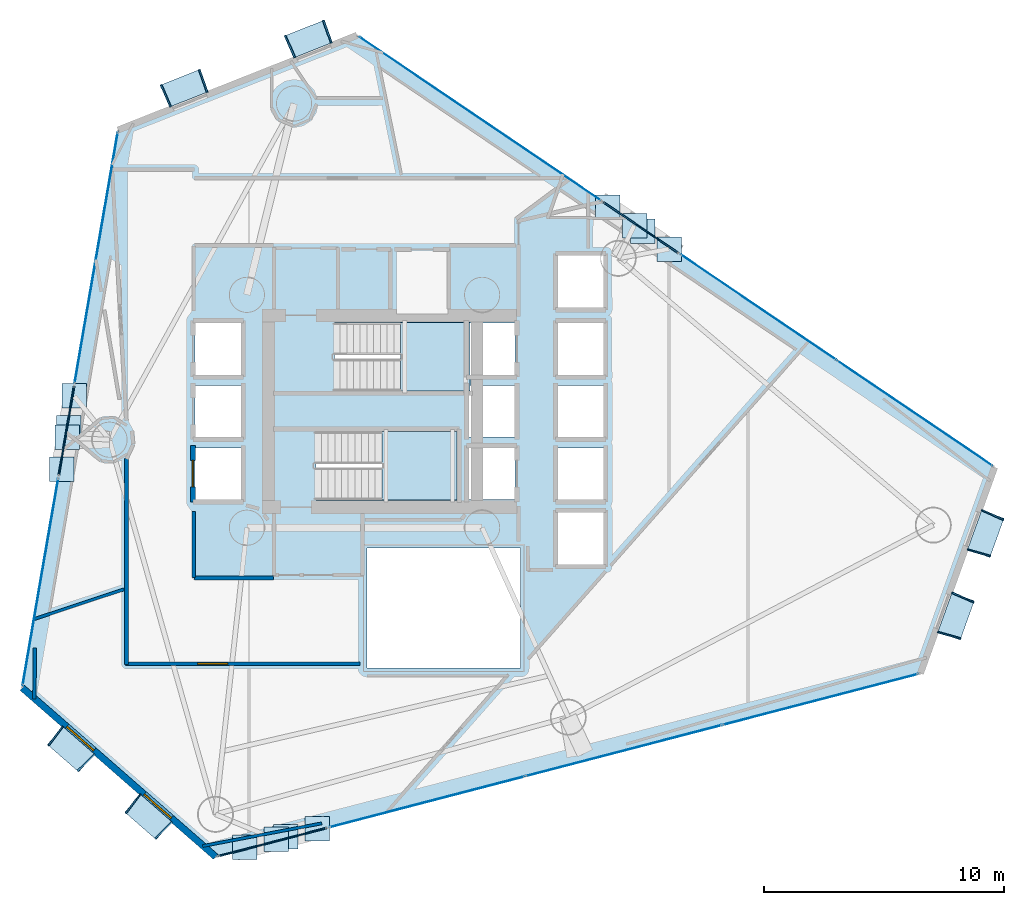
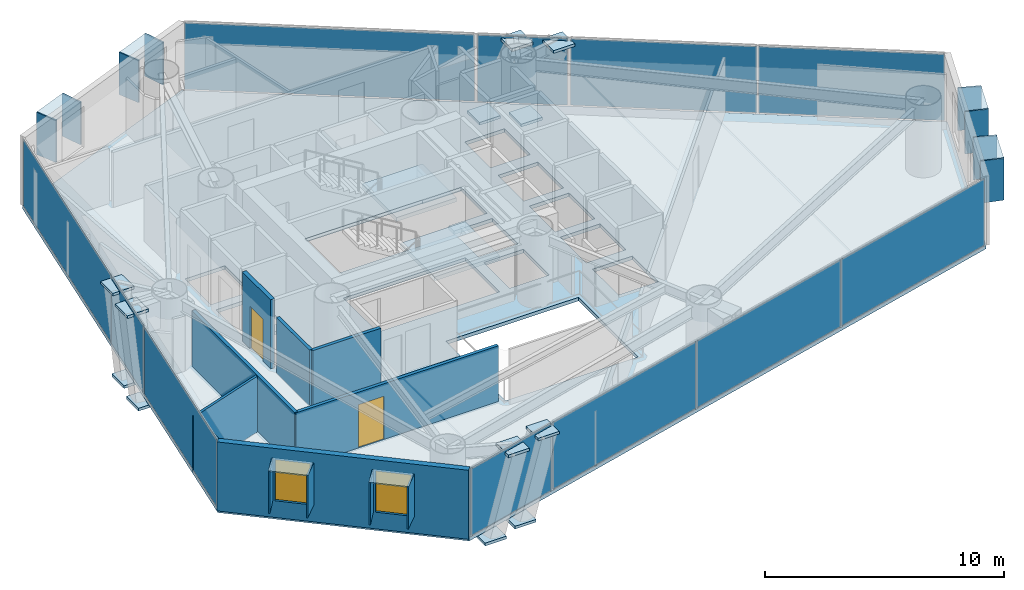
# One storey, part 15 of 21: 41 plates, 9 walls, 3 slabs, 2 doors, 2 windows, 4 openings, 10 elements without a shape of their own.
"""IFC4 building model written with IfcOpenShell, lengths in metres."""

from ifc_helpers import new_model, si_unit, direction, frame, frame_2d, origin, origin_2d, place, context, subcontext, project, spatial, polyline, rectangle, outline, extrude, material, layer, layer_set, type_object, element, fill, aggregate, save


model = new_model("IFC4")

# Units and contexts
model_context = context("Model", 3, precision=1e-05, world=origin(), true_north=direction((0.0, 1.0)))
body_context = subcontext(model_context, "Body", "Model", "MODEL_VIEW")
ifc_project = project(units=[si_unit("LENGTHUNIT", "METRE"), si_unit("AREAUNIT", "SQUARE_METRE"), si_unit("VOLUMEUNIT", "CUBIC_METRE"), si_unit("PLANEANGLEUNIT", "RADIAN"), si_unit("MASSUNIT", "GRAM", prefix="KILO")], contexts=[model_context])

# Site, building, storey
site_placement = place(None, origin())
site = spatial("IfcSite", under=ifc_project, at=site_placement, CompositionType="ELEMENT")
building_placement = place(site_placement, origin())
building = spatial("IfcBuilding", under=site, at=building_placement, Name="Qianvela Tower", CompositionType="ELEMENT")
storey_placement = place(building_placement, frame((0.0, 0.0, 112.60009765625)))
storey = spatial("IfcBuildingStorey", under=building, at=storey_placement, Name="L28", CompositionType="ELEMENT", Elevation=112.60009765625)

# Curtain wall, plate
ifc_material_1 = material(Name="Anodised Architectural Aluminium and Insulated Spandrel Panel", Category="aluminium")
ifc_layer_1 = layer(ifc_material_1, 0.179931640625)
ifc_layer_set_1 = layer_set([ifc_layer_1], Name="Anodised Architectural Aluminium and Insulated Spandrel Panel")
curtain_wall_type_1 = type_object("IfcCurtainWallType", Name="CW-BRACEBAY", PredefinedType="USERDEFINED", material=ifc_layer_set_1)
curtain_wall_1_placement = place(storey_placement, origin())
curtain_wall_1 = element("IfcCurtainWall", 1, at=curtain_wall_1_placement, inside=storey, type_object=curtain_wall_type_1, Name="L28 CW-BRACEBAY Curtain Wall 02B", ObjectType="CURTAIN_WALL_SYSTEM", PredefinedType="USERDEFINED")
ifc_material_2 = material(Name="Insulated Aluminium Spandrel Panel with Mineral-Wool Backpan", Category="aluminium")
ifc_layer_2 = layer(ifc_material_2, 0.06005859375)
ifc_layer_set_2 = layer_set([ifc_layer_2], Name="Insulated Aluminium Spandrel Panel with Mineral-Wool Backpan")
plate_type_1 = type_object("IfcPlateType", Name="CW-BRACEBAY-PNL", PredefinedType="CURTAIN_PANEL", material=ifc_layer_set_2)
plate_1_placement = place(storey_placement, frame((45.009765625, 36.35302734375, 0.06494140625), z_axis=(0.0, 0.0, 1.0), x_axis=(-0.827932900864, 0.560827167375, 0.0)))
plate_1 = element("IfcPlate", 2, at=plate_1_placement, type_object=plate_type_1, Name="CW-9 panel 1.1", PredefinedType="CURTAIN_PANEL", context=body_context, shape_type="SweptSolid", body=[
    extrude(rectangle(XDim=3.77001953125, YDim=0.06005859375, at=origin_2d()), origin(), (0.0, 0.0, 1.0), 3.389892578125),
])
aggregate(curtain_wall_1, [plate_1])

curtain_wall_2_placement = place(storey_placement, origin())
curtain_wall_2 = element("IfcCurtainWall", 3, at=curtain_wall_2_placement, inside=storey, type_object=curtain_wall_type_1, Name="L28 CW-BRACEBAY Curtain Wall 04B", ObjectType="CURTAIN_WALL_SYSTEM", PredefinedType="USERDEFINED")
plate_2_placement = place(storey_placement, frame((21.081298828125, 27.884521484375, 0.06494140625), z_axis=(0.0, 0.0, 1.0), x_axis=(-0.169514646408, -0.985527668132, 0.0)))
plate_2 = element("IfcPlate", 4, at=plate_2_placement, type_object=plate_type_1, Name="CW-9 panel 1.1", PredefinedType="CURTAIN_PANEL", context=body_context, shape_type="SweptSolid", body=[
    extrude(rectangle(XDim=3.780029296875, YDim=0.06005859375, at=origin_2d()), origin(), (0.0, 0.0, 1.0), 3.389892578125),
])
aggregate(curtain_wall_2, [plate_2])

curtain_wall_3_placement = place(storey_placement, origin())
curtain_wall_3 = element("IfcCurtainWall", 5, at=curtain_wall_3_placement, inside=storey, type_object=curtain_wall_type_1, Name="L28 CW-BRACEBAY Curtain Wall 06A", ObjectType="CURTAIN_WALL_SYSTEM", PredefinedType="USERDEFINED")
plate_3_placement = place(storey_placement, frame((29.667236328125, 10.751220703125, 0.06494140625), z_axis=(0.0, 0.0, 1.0), x_axis=(0.967742635152, 0.251940850417, 0.0)))
plate_3 = element("IfcPlate", 6, at=plate_3_placement, type_object=plate_type_1, Name="CW-9 panel 1.1", PredefinedType="CURTAIN_PANEL", context=body_context, shape_type="SweptSolid", body=[
    extrude(rectangle(XDim=4.659912109375, YDim=0.06005859375, at=origin_2d()), origin(), (0.0, 0.0, 1.0), 3.389892578125),
])
aggregate(curtain_wall_3, [plate_3])

# Curtain wall, plates
ifc_material_3 = material(Name="Anodised Architectural Aluminium and Low-E Glass", Category="aluminium")
ifc_layer_3 = layer(ifc_material_3, 0.169921875)
ifc_layer_set_3 = layer_set([ifc_layer_3], Name="Anodised Architectural Aluminium and Low-E Glass")
curtain_wall_type_2 = type_object("IfcCurtainWallType", Name="CW-COLIV-Z34", PredefinedType="USERDEFINED", material=ifc_layer_set_3)
curtain_wall_4_placement = place(storey_placement, origin())
curtain_wall_4 = element("IfcCurtainWall", 7, at=curtain_wall_4_placement, inside=storey, type_object=curtain_wall_type_2, Name="L28 CW-COLIV-Z34 Curtain Wall 02A", ObjectType="CURTAIN_WALL_SYSTEM", PredefinedType="USERDEFINED")
ifc_material_4 = material(Name="Double-Silver Low-E Insulated Glass", Category="glass")
ifc_layer_4 = layer(ifc_material_4, 0.028076171875)
ifc_layer_set_4 = layer_set([ifc_layer_4], Name="Double-Silver Low-E Insulated Glass")
plate_type_2 = type_object("IfcPlateType", Name="CW-COLIV-Z34-PNL", PredefinedType="CURTAIN_PANEL", material=ifc_layer_set_4)
plate_4_placement = place(storey_placement, frame((56.421875, 28.622802734375, 0.06494140625), z_axis=(0.0, 0.0, 1.0), x_axis=(-0.827933194748, 0.560826733524, 0.0)))
plate_4 = element("IfcPlate", 8, at=plate_4_placement, type_object=plate_type_2, Name="CW-4 panel 1.1", PredefinedType="CURTAIN_PANEL", context=body_context, shape_type="SweptSolid", body=[
    extrude(rectangle(XDim=7.802490234375, YDim=0.028076171875, at=origin_2d()), origin(), (0.0, 0.0, 1.0), 3.389892578125),
])
plate_5_placement = place(storey_placement, frame((49.908203125, 33.03515625, 0.06494140625), z_axis=(0.0, 0.0, 1.0), x_axis=(-0.827933194748, 0.560826733524, 0.0)))
plate_5 = element("IfcPlate", 9, at=plate_5_placement, type_object=plate_type_2, Name="CW-4 panel 2.1", PredefinedType="CURTAIN_PANEL", context=body_context, shape_type="SweptSolid", body=[
    extrude(rectangle(XDim=7.802490234375, YDim=0.028076171875, at=origin_2d()), origin(), (0.0, 0.0, 1.0), 3.389892578125),
])
aggregate(curtain_wall_4, [plate_4, plate_5])

# Curtain wall, plate
curtain_wall_5_placement = place(storey_placement, origin())
curtain_wall_5 = element("IfcCurtainWall", 10, at=curtain_wall_5_placement, inside=storey, type_object=curtain_wall_type_2, Name="L28 CW-COLIV-Z34 Curtain Wall 02C", ObjectType="CURTAIN_WALL_SYSTEM", PredefinedType="USERDEFINED")
plate_6_placement = place(storey_placement, frame((38.3125, 40.8896484375, 0.06494140625), z_axis=(0.0, 0.0, 1.0), x_axis=(-0.827934182951, 0.560825274664, 0.0)))
plate_6 = element("IfcPlate", 11, at=plate_6_placement, type_object=plate_type_2, Name="CW-4 panel 1.1", PredefinedType="CURTAIN_PANEL", context=body_context, shape_type="SweptSolid", body=[
    extrude(rectangle(XDim=12.1484375, YDim=0.028076171875, at=origin_2d()), origin(), (0.0, 0.0, 1.0), 3.389892578125),
])
aggregate(curtain_wall_5, [plate_6])

curtain_wall_6_placement = place(storey_placement, origin())
curtain_wall_6 = element("IfcCurtainWall", 12, at=curtain_wall_6_placement, inside=storey, type_object=curtain_wall_type_2, Name="L28 CW-COLIV-Z34 Curtain Wall 04A", ObjectType="CURTAIN_WALL_SYSTEM", PredefinedType="USERDEFINED")
plate_7_placement = place(storey_placement, frame((22.320556640625, 35.0888671875, 0.06494140625), z_axis=(0.0, 0.0, 1.0), x_axis=(-0.169523566874, -0.985526133735, 0.0)))
plate_7 = element("IfcPlate", 13, at=plate_7_placement, type_object=plate_type_2, Name="CW-4 panel 1.1", PredefinedType="CURTAIN_PANEL", context=body_context, shape_type="SweptSolid", body=[
    extrude(rectangle(XDim=10.580078125, YDim=0.028076171875, at=origin_2d()), origin(), (0.0, 0.0, 1.0), 3.389892578125),
])
aggregate(curtain_wall_6, [plate_7])

curtain_wall_7_placement = place(storey_placement, origin())
curtain_wall_7 = element("IfcCurtainWall", 14, at=curtain_wall_7_placement, inside=storey, type_object=curtain_wall_type_2, Name="L28 CW-COLIV-Z34 Curtain Wall 04C", ObjectType="CURTAIN_WALL_SYSTEM", PredefinedType="USERDEFINED")
plate_8_placement = place(storey_placement, frame((19.999267578125, 21.593017578125, 0.06494140625), z_axis=(0.0, 0.0, 1.0), x_axis=(-0.169519028457, -0.985526914392, 0.0)))
plate_8 = element("IfcPlate", 15, at=plate_8_placement, type_object=plate_type_2, Name="CW-4 panel 1.1", PredefinedType="CURTAIN_PANEL", context=body_context, shape_type="SweptSolid", body=[
    extrude(rectangle(XDim=8.72802734375, YDim=0.028076171875, at=origin_2d()), origin(), (0.0, 0.0, 1.0), 3.389892578125),
])
aggregate(curtain_wall_7, [plate_8])

# Curtain wall, plates
curtain_wall_8_placement = place(storey_placement, origin())
curtain_wall_8 = element("IfcCurtainWall", 16, at=curtain_wall_8_placement, inside=storey, type_object=curtain_wall_type_2, Name="L28 CW-COLIV-Z34 Curtain Wall 06B", ObjectType="CURTAIN_WALL_SYSTEM", PredefinedType="USERDEFINED")
plate_9_placement = place(storey_placement, frame((36.1044921875, 12.42724609375, 0.06494140625), z_axis=(0.0, 0.0, 1.0), x_axis=(0.96774019745, 0.25195021381, 0.0)))
plate_9 = element("IfcPlate", 17, at=plate_9_placement, type_object=plate_type_2, Name="CW-4 panel 1.1", PredefinedType="CURTAIN_PANEL", context=body_context, shape_type="SweptSolid", body=[
    extrude(rectangle(XDim=8.3837890625, YDim=0.028076171875, at=origin_2d()), origin(), (0.0, 0.0, 1.0), 3.389892578125),
])
plate_10_placement = place(storey_placement, frame((44.29638671875, 14.559814453125, 0.06494140625), z_axis=(0.0, 0.0, 1.0), x_axis=(0.96774019745, 0.25195021381, 0.0)))
plate_10 = element("IfcPlate", 18, at=plate_10_placement, type_object=plate_type_2, Name="CW-4 panel 2.1", PredefinedType="CURTAIN_PANEL", context=body_context, shape_type="SweptSolid", body=[
    extrude(rectangle(XDim=8.416259765625, YDim=0.028076171875, at=origin_2d()), origin(), (0.0, 0.0, 1.0), 3.389892578125),
])
plate_11_placement = place(storey_placement, frame((52.488525390625, 16.692626953125, 0.06494140625), z_axis=(0.0, 0.0, 1.0), x_axis=(0.96774019745, 0.25195021381, 0.0)))
plate_11 = element("IfcPlate", 19, at=plate_11_placement, type_object=plate_type_2, Name="CW-4 panel 3.1", PredefinedType="CURTAIN_PANEL", context=body_context, shape_type="SweptSolid", body=[
    extrude(rectangle(XDim=8.3837890625, YDim=0.028076171875, at=origin_2d()), origin(), (0.0, 0.0, 1.0), 3.389892578125),
])
aggregate(curtain_wall_8, [plate_9, plate_10, plate_11])

# Plates
ifc_material_5 = material(Name="Steel Q420GJC", Category="steel")
ifc_layer_5 = layer(ifc_material_5, 0.139892578125)
ifc_layer_set_5 = layer_set([ifc_layer_5], Name="Steel Q420GJC")
plate_type_3 = type_object("IfcPlateType", Name="PT-GUSSET-NODE-140", PredefinedType="USERDEFINED", material=ifc_layer_set_5)
for number, where, z_axis, x_axis, name in (
    (20, (45.081298828125, 36.2080078125, -0.61328125), (0.0, 0.0, 1.0), (1.0, 0.0, 0.0), "L28 Node Gusset Plate A"),
    (21, (46.2041015625, 35.447509765625, 3.20947265625), (0.0, 0.0, 1.0), (1.0, 0.0, 0.0), "L28 Node Gusset Plate B"),
    (22, (43.63037109375, 37.19091796875, -0.61328125), (0.0, 0.0, 1.0), (1.0, 0.0, 0.0), "L28 Node Gusset Plate A"),
    (23, (44.7529296875, 36.430419921875, 3.20947265625), (0.0, 0.0, 1.0), (1.0, 0.0, 0.0), "L28 Node Gusset Plate B"),
    (24, (21.183837890625, 28.008544921875, -0.61328125), (0.0, 0.0, 1.0), (1.0, 0.0, 0.0), "L28 Node Gusset Plate A"),
    (25, (21.413818359375, 29.344970703125, 3.20947265625), (0.0, 0.0, 1.0), (1.0, 0.0, 0.0), "L28 Node Gusset Plate B"),
    (26, (20.88671875, 26.281494140625, -0.61328125), (0.0, 0.0, 1.0), (1.0, 0.0, 0.0), "L28 Node Gusset Plate A"),
    (27, (21.11669921875, 27.617919921875, 3.20947265625), (0.0, 0.0, 1.0), (1.0, 0.0, 0.0), "L28 Node Gusset Plate B"),
    (28, (28.517822265625, 10.53466796875, -0.61328125), (0.0, 0.0, 1.0), (1.0, 0.0, 0.0), "L28 Node Gusset Plate A"),
    (29, (29.830078125, 10.87646484375, 3.20947265625), (0.0, 0.0, 1.0), (1.0, 0.0, 0.0), "L28 Node Gusset Plate B"),
    (30, (30.214111328125, 10.976318359375, -0.61328125), (0.0, 0.0, 1.0), (1.0, 0.0, 0.0), "L28 Node Gusset Plate A"),
    (31, (31.526123046875, 11.31787109375, 3.20947265625), (0.0, 0.0, 1.0), (1.0, 0.0, 0.0), "L28 Node Gusset Plate B"),
):
    element("IfcPlate", number, at=place(storey_placement, frame(where, z_axis=z_axis, x_axis=x_axis)), inside=storey, type_object=plate_type_3, Name=name, ObjectType="GUSSET_PLATE", PredefinedType="USERDEFINED", context=body_context, shape_type="SweptSolid", body=[
        extrude(rectangle(XDim=1.02001953125, YDim=1.02001953125, at=origin_2d()), origin(), (0.0, 0.0, 1.0), 0.139892578125),
    ])

# Slab
ifc_material_6 = material(Name="Concrete C40", Category="concrete")
ifc_layer_6 = layer(ifc_material_6, 0.179931640625)
ifc_layer_set_6 = layer_set([ifc_layer_6], Name="Concrete C40")
slab_type_1 = type_object("IfcSlabType", Name="SL-FLOOR-180", PredefinedType="FLOOR", material=ifc_layer_set_6)
slab_1_placement = place(storey_placement, frame((0.0, 0.0, -0.18017578125)))
element("IfcSlab", 32, at=slab_1_placement, inside=storey, type_object=slab_type_1, Name="L28 Composite Structural Floor Slab", PredefinedType="FLOOR", context=body_context, shape_type="SweptSolid", body=[
    extrude(outline(polyline([(56.656494140625, 17.77783203125), (59.7470703125, 26.370361328125), (33.188232421875, 44.36083984375), (23.23681640625, 40.41552734375), (19.239990234375, 17.1787109375), (27.301025390625, 10.13525390625), (56.656494140625, 17.77783203125)]), holes=[polyline([(40.0, 23.0), (33.60009765625, 23.0), (33.60009765625, 18.0), (40.0, 18.0), (40.0, 23.0)]), polyline([(28.360107421875, 25.02001953125), (28.360107421875, 27.179931640625), (26.43994140625, 27.179931640625), (26.43994140625, 25.02001953125), (28.360107421875, 25.02001953125)]), polyline([(37.35009765625, 25.0), (37.35009765625, 27.860107421875), (31.469970703125, 27.860107421875), (31.469970703125, 25.0), (37.35009765625, 25.0)]), polyline([(28.360107421875, 27.6201171875), (28.360107421875, 29.780029296875), (26.43994140625, 29.780029296875), (26.43994140625, 27.6201171875), (28.360107421875, 27.6201171875)]), polyline([(37.89990234375, 32.3798828125), (37.89990234375, 32.39990234375), (32.25, 32.39990234375), (32.25, 29.5400390625), (37.840087890625, 29.5400390625), (37.840087890625, 27.6201171875), (39.760009765625, 27.6201171875), (39.760009765625, 29.780029296875), (37.89990234375, 29.780029296875), (37.89990234375, 30.219970703125), (39.760009765625, 30.219970703125), (39.760009765625, 32.3798828125), (37.89990234375, 32.3798828125)]), polyline([(28.360107421875, 30.219970703125), (28.360107421875, 32.3798828125), (26.43994140625, 32.3798828125), (26.43994140625, 30.219970703125), (28.360107421875, 30.219970703125)]), polyline([(43.4599609375, 24.47998046875), (41.5400390625, 24.47998046875), (41.5400390625, 22.320068359375), (43.4599609375, 22.320068359375), (43.4599609375, 24.47998046875)]), polyline([(39.760009765625, 25.02001953125), (39.760009765625, 27.179931640625), (37.840087890625, 27.179931640625), (37.840087890625, 25.02001953125), (39.760009765625, 25.02001953125)]), polyline([(43.4599609375, 25.02001953125), (43.4599609375, 27.179931640625), (41.5400390625, 27.179931640625), (41.5400390625, 25.02001953125), (43.4599609375, 25.02001953125)]), polyline([(43.4599609375, 27.6201171875), (43.4599609375, 29.780029296875), (41.5400390625, 29.780029296875), (41.5400390625, 27.6201171875), (43.4599609375, 27.6201171875)]), polyline([(43.4599609375, 30.219970703125), (43.4599609375, 32.3798828125), (41.5400390625, 32.3798828125), (41.5400390625, 30.219970703125), (43.4599609375, 30.219970703125)]), polyline([(43.4599609375, 33.02001953125), (43.4599609375, 35.179931640625), (41.5400390625, 35.179931640625), (41.5400390625, 33.02001953125), (43.4599609375, 33.02001953125)])]), origin(), (0.0, 0.0, 1.0), 0.18017578125),
])

# Stair, slab
ifc_material_7 = material(Name="Concrete C40", Category="concrete")
stair_type = type_object("IfcStairType", Name="ST-DOGLEG-1350-R168-N22", PredefinedType="HALF_TURN_STAIR", material=ifc_material_7)
stair_1_placement = place(storey_placement, origin())
stair_1 = element("IfcStair", 33, at=stair_1_placement, inside=storey, type_object=stair_type, Name="L28 Smoke-Proof Core Stair ST-1", PredefinedType="HALF_TURN_STAIR")
ifc_material_8 = material(Name="Concrete C40", Category="concrete")
ifc_layer_7 = layer(ifc_material_8, 0.199951171875)
ifc_layer_set_7 = layer_set([ifc_layer_7], Name="Concrete C40")
slab_type_2 = type_object("IfcSlabType", Name="SL-STAIR-LANDING-200", PredefinedType="LANDING", material=ifc_layer_set_7)
slab_2_placement = place(storey_placement, frame((0.0, 0.0, 1.64990234375)))
slab_2 = element("IfcSlab", 34, at=slab_2_placement, type_object=slab_type_2, Name="ST-1 landing 1", PredefinedType="LANDING", context=body_context, shape_type="SweptSolid", body=[
    extrude(outline(polyline([(35.0, 29.5400390625), (37.89990234375, 29.5400390625), (37.89990234375, 32.39990234375), (35.0, 32.39990234375), (35.0, 29.5400390625)])), origin(), (0.0, 0.0, 1.0), 0.199951171875),
])
aggregate(stair_1, [slab_2])

stair_2_placement = place(storey_placement, origin())
stair_2 = element("IfcStair", 35, at=stair_2_placement, inside=storey, type_object=stair_type, Name="L28 Smoke-Proof Core Stair ST-2", PredefinedType="HALF_TURN_STAIR")
slab_3_placement = place(storey_placement, frame((0.0, 0.0, 1.64990234375)))
slab_3 = element("IfcSlab", 36, at=slab_3_placement, type_object=slab_type_2, Name="ST-2 landing 1", PredefinedType="LANDING", context=body_context, shape_type="SweptSolid", body=[
    extrude(outline(polyline([(34.219970703125, 25.0), (37.35009765625, 25.0), (37.35009765625, 27.860107421875), (34.219970703125, 27.860107421875), (34.219970703125, 25.0)])), origin(), (0.0, 0.0, 1.0), 0.199951171875),
])
aggregate(stair_2, [slab_3])

# Plates
ifc_material_9 = material(Name="Vitrified Architectural Terracotta Panel", Category="masonry")
ifc_layer_8 = layer(ifc_material_9, 0.06005859375)
ifc_layer_set_8 = layer_set([ifc_layer_8], Name="Vitrified Architectural Terracotta Panel")
plate_type_4 = type_object("IfcPlateType", Name="TERRACOTTA-SUNSHADE-HOOD-FOLD-A", PredefinedType="USERDEFINED", material=ifc_layer_set_8)
for number, where, z_axis, x_axis, name in (
    (37, (58.1435546875, 20.154296875, 2.9599609375), (0.0, 0.0, 1.0), (0.338463667357, 0.940979460923, 0.0), "L28 Terracotta Sunshade Hood FOLD-A"),
    (38, (59.3798828125, 23.59130859375, 2.9599609375), (0.0, 0.0, 1.0), (0.338463667357, 0.940979460923, 0.0), "L28 Terracotta Sunshade Hood FOLD-A"),
    (39, (21.2666015625, 14.61767578125, 2.9599609375), (0.0, 0.0, 1.0), (0.753033078035, -0.657982661919, 0.0), "L28 Terracotta Sunshade Hood FOLD-A"),
    (40, (24.4912109375, 11.80029296875, 2.9599609375), (0.0, 0.0, 1.0), (0.753033078035, -0.657982661919, 0.0), "L28 Terracotta Sunshade Hood FOLD-A"),
):
    element("IfcPlate", number, at=place(storey_placement, frame(where, z_axis=z_axis, x_axis=x_axis)), inside=storey, type_object=plate_type_4, Name=name, ObjectType="SUNSHADE", PredefinedType="USERDEFINED", context=body_context, shape_type="SweptSolid", body=[
        extrude(rectangle(XDim=1.739990234375, YDim=0.989990234375, at=origin_2d()), origin(), (0.0, 0.0, 1.0), 0.06005859375),
    ])
ifc_material_10 = material(Name="Vitrified Architectural Terracotta Panel", Category="masonry")
ifc_layer_9 = layer(ifc_material_10, 0.070068359375)
ifc_layer_set_9 = layer_set([ifc_layer_9], Name="Vitrified Architectural Terracotta Panel")
plate_type_5 = type_object("IfcPlateType", Name="TERRACOTTA-SUNSHADE-HOOD-FOLD-C", PredefinedType="USERDEFINED", material=ifc_layer_set_9)
for number, where, z_axis, x_axis, name in (
    (41, (31.17333984375, 44.2021484375, 2.9599609375), (0.0, 0.0, 1.0), (-0.929609983774, -0.368544811479, 0.0), "L28 Terracotta Sunshade Hood FOLD-C"),
    (42, (26.0029296875, 42.15234375, 2.9599609375), (0.0, 0.0, 1.0), (-0.929609983774, -0.368544811479, 0.0), "L28 Terracotta Sunshade Hood FOLD-C"),
):
    element("IfcPlate", number, at=place(storey_placement, frame(where, z_axis=z_axis, x_axis=x_axis)), inside=storey, type_object=plate_type_5, Name=name, ObjectType="SUNSHADE", PredefinedType="USERDEFINED", context=body_context, shape_type="SweptSolid", body=[
        extrude(rectangle(XDim=1.739990234375, YDim=0.989990234375, at=origin_2d()), origin(), (0.0, 0.0, 1.0), 0.06005859375),
    ])
ifc_material_11 = material(Name="Vitrified Architectural Terracotta Side Fin Panel", Category="masonry")
ifc_layer_10 = layer(ifc_material_11, 0.06494140625)
ifc_layer_set_10 = layer_set([ifc_layer_10], Name="Vitrified Architectural Terracotta Side Fin Panel")
plate_type_6 = type_object("IfcPlateType", Name="TERRACOTTA-SUNSHADE-STRUT-FOLD-A", PredefinedType="USERDEFINED", material=ifc_layer_set_10)
for number, where, z_axis, x_axis, name in (
    (43, (57.859130859375, 19.36376953125, 0.85009765625), (0.0, 0.0, 1.0), (0.271999777815, 0.962297314175, 0.0), "L28 Terracotta Sunshade Side Fin HL FOLD-A"),
    (44, (58.427734375, 20.944580078125, 0.85009765625), (0.0, 0.0, 1.0), (0.403278595934, 0.915077250325, 0.0), "L28 Terracotta Sunshade Side Fin HR FOLD-A"),
    (45, (59.095458984375, 22.80078125, 0.85009765625), (0.0, 0.0, 1.0), (0.271999777815, 0.962297314175, 0.0), "L28 Terracotta Sunshade Side Fin HL FOLD-A"),
    (46, (59.6640625, 24.381591796875, 0.85009765625), (0.0, 0.0, 1.0), (0.403278595934, 0.915077250325, 0.0), "L28 Terracotta Sunshade Side Fin HR FOLD-A"),
    (47, (20.63427734375, 15.17041015625, 0.85009765625), (0.0, 0.0, 1.0), (0.797097277584, -0.603850917088, 0.0), "L28 Terracotta Sunshade Side Fin HL FOLD-A"),
    (48, (21.8994140625, 14.06494140625, 0.85009765625), (0.0, 0.0, 1.0), (0.705300177024, -0.708908781361, 0.0), "L28 Terracotta Sunshade Side Fin HR FOLD-A"),
    (49, (23.858642578125, 12.352783203125, 0.85009765625), (0.0, 0.0, 1.0), (0.797097277584, -0.603850917088, 0.0), "L28 Terracotta Sunshade Side Fin HL FOLD-A"),
    (50, (25.123779296875, 11.24755859375, 0.85009765625), (0.0, 0.0, 1.0), (0.705300177024, -0.708908781361, 0.0), "L28 Terracotta Sunshade Side Fin HR FOLD-A"),
):
    element("IfcPlate", number, at=place(storey_placement, frame(where, z_axis=z_axis, x_axis=x_axis)), inside=storey, type_object=plate_type_6, Name=name, ObjectType="SUNSHADE", PredefinedType="USERDEFINED", context=body_context, shape_type="SweptSolid", body=[
        extrude(rectangle(XDim=0.06494140625, YDim=1.010009765625, at=origin_2d()), origin(), (0.0, 0.0, 1.0), 2.159912109375),
    ])
ifc_material_12 = material(Name="Vitrified Architectural Terracotta Side Fin Panel", Category="masonry")
ifc_layer_11 = layer(ifc_material_12, 0.074951171875)
ifc_layer_set_11 = layer_set([ifc_layer_11], Name="Vitrified Architectural Terracotta Side Fin Panel")
plate_type_7 = type_object("IfcPlateType", Name="TERRACOTTA-SUNSHADE-STRUT-FOLD-C", PredefinedType="USERDEFINED", material=ifc_layer_set_11)
for number, where, z_axis, x_axis, name in (
    (51, (31.954345703125, 44.51171875, 0.85009765625), (0.0, 0.0, 1.0), (-0.941905718922, -0.335877383374, 0.0), "L28 Terracotta Sunshade Side Fin HL FOLD-C"),
    (52, (30.392578125, 43.892578125, 0.85009765625), (0.0, 0.0, 1.0), (-0.916181662056, -0.4007632245, 0.0), "L28 Terracotta Sunshade Side Fin HR FOLD-C"),
    (53, (26.783935546875, 42.4619140625, 0.85009765625), (0.0, 0.0, 1.0), (-0.941905718922, -0.335877383374, 0.0), "L28 Terracotta Sunshade Side Fin HL FOLD-C"),
    (54, (25.22216796875, 41.8427734375, 0.85009765625), (0.0, 0.0, 1.0), (-0.916181662056, -0.4007632245, 0.0), "L28 Terracotta Sunshade Side Fin HR FOLD-C"),
):
    element("IfcPlate", number, at=place(storey_placement, frame(where, z_axis=z_axis, x_axis=x_axis)), inside=storey, type_object=plate_type_7, Name=name, ObjectType="SUNSHADE", PredefinedType="USERDEFINED", context=body_context, shape_type="SweptSolid", body=[
        extrude(rectangle(XDim=0.074951171875, YDim=1.010009765625, at=origin_2d()), origin(), (0.0, 0.0, 1.0), 2.159912109375),
    ])

# Wall, openings, windows
ifc_material_13 = material(Name="Terracotta Cladding on Concrete C40", Category="masonry")
ifc_layer_12 = layer(ifc_material_13, 0.280029296875)
ifc_layer_set_12 = layer_set([ifc_layer_12], Name="Terracotta Cladding on Concrete C40")
wall_type_1 = type_object("IfcWallType", Name="TERRACOTTA-WALL-280", PredefinedType="SOLIDWALL", material=ifc_layer_set_12)
wall_1_placement = place(storey_placement, frame((19.239990234375, 17.1787109375, 0.0), z_axis=(0.0, 0.0, 1.0), x_axis=(0.753037088213, -0.657978072413, 0.0)))
wall_1 = element("IfcWall", 55, at=wall_1_placement, inside=storey, type_object=wall_type_1, Name="L28 Terracotta Chamfer Facet Wall 5", PredefinedType="SOLIDWALL", context=body_context, shape_type="SweptSolid", body=[
    extrude(rectangle(XDim=10.70458984375, YDim=0.280029296875, at=frame_2d((5.352294921875, 0.0))), origin(), (0.0, 0.0, 1.0), 3.52001953125),
])
opening_1_placement = place(wall_1_placement, frame((2.46142578125, 0.0, 0.85009765625)))
opening_1 = element("IfcOpeningElement", 56, at=opening_1_placement, cuts=wall_1, Name="Opening W-02", PredefinedType="OPENING", context=body_context, shape_type="SweptSolid", body=[
    extrude(rectangle(XDim=1.5, YDim=2.10009765625, at=frame_2d((0.75, 1.050048828125))), frame((0.0, 0.14990234375, 0.0), z_axis=(0.0, -1.0, 0.0), x_axis=(1.0, 0.0, 0.0)), (0.0, 0.0, 1.0), 0.300048828125),
])
opening_2_placement = place(wall_1_placement, frame((6.743408203125, 0.0, 0.85009765625)))
opening_2 = element("IfcOpeningElement", 57, at=opening_2_placement, cuts=wall_1, Name="Opening W-02", PredefinedType="OPENING", context=body_context, shape_type="SweptSolid", body=[
    extrude(rectangle(XDim=1.5, YDim=2.10009765625, at=frame_2d((0.75, 1.050048828125))), frame((0.0, 0.14990234375, 0.0), z_axis=(0.0, -1.0, 0.0), x_axis=(1.0, 0.0, 0.0)), (0.0, 0.0, 1.0), 0.300048828125),
])
ifc_material_14 = material(Name="Thermally Broken Aluminium and Low-E Glass", Category="aluminium")
window_type = type_object("IfcWindowType", Name="WIN-TC-1500x2100", PartitioningType="DOUBLE_PANEL_VERTICAL", PredefinedType="WINDOW", material=ifc_material_14)
window_1_placement = place(opening_1_placement, origin())
window_1 = element("IfcWindow", 58, at=window_1_placement, inside=storey, type_object=window_type, Name="L28 Chamfer Facet Window 5.1", OverallHeight=2.10009765625, OverallWidth=1.5, PartitioningType="SINGLE_PANEL", PredefinedType="WINDOW", context=body_context, shape_type="SweptSolid", body=[
    extrude(rectangle(XDim=1.5, YDim=2.10009765625, at=frame_2d((0.75, 1.050048828125))), frame((0.0, 0.030029296875, 0.0), z_axis=(0.0, -1.0, 0.0), x_axis=(1.0, 0.0, 0.0)), (0.0, 0.0, 1.0), 0.06005859375),
])
fill(opening_1, window_1)
window_2_placement = place(opening_2_placement, origin())
window_2 = element("IfcWindow", 59, at=window_2_placement, inside=storey, type_object=window_type, Name="L28 Chamfer Facet Window 5.2", OverallHeight=2.10009765625, OverallWidth=1.5, PartitioningType="SINGLE_PANEL", PredefinedType="WINDOW", context=body_context, shape_type="SweptSolid", body=[
    extrude(rectangle(XDim=1.5, YDim=2.10009765625, at=frame_2d((0.75, 1.050048828125))), frame((0.0, 0.030029296875, 0.0), z_axis=(0.0, -1.0, 0.0), x_axis=(1.0, 0.0, 0.0)), (0.0, 0.0, 1.0), 0.06005859375),
])
fill(opening_2, window_2)

# Walls
ifc_material_15 = material(Name="Fire-Rated Gypsum and Concrete Block", Category="concrete")
ifc_layer_13 = layer(ifc_material_15, 0.159912109375)
ifc_layer_set_13 = layer_set([ifc_layer_13], Name="Fire-Rated Gypsum and Concrete Block")
wall_type_2 = type_object("IfcWallType", Name="WT-CORR-160", PredefinedType="PARTITIONING", material=ifc_layer_set_13)
wall_2_placement = place(storey_placement, frame((26.388916015625, 24.530517578125, 0.0), z_axis=(0.0, 0.0, 1.0), x_axis=(0.0, -1.0, 0.0)))
element("IfcWall", 60, at=wall_2_placement, inside=storey, type_object=wall_type_2, Name="L28 Partition 49", PredefinedType="PARTITIONING", context=body_context, shape_type="SweptSolid", body=[
    extrude(rectangle(XDim=2.75048828125, YDim=0.159912109375, at=frame_2d((1.375244140625, 0.0))), origin(), (0.0, 0.0, 1.0), 2.83984375),
])
wall_3_placement = place(storey_placement, frame((26.419921875, 21.7490234375, 0.0), z_axis=(0.0, 0.0, 1.0), x_axis=(1.0, 0.0, 0.0)))
element("IfcWall", 61, at=wall_3_placement, inside=storey, type_object=wall_type_2, Name="L28 Partition 50 seg 1", PredefinedType="PARTITIONING", context=body_context, shape_type="SweptSolid", body=[
    extrude(rectangle(XDim=3.280029296875, YDim=0.159912109375, at=frame_2d((1.64013671875, 0.0))), origin(), (0.0, 0.0, 1.0), 2.83984375),
])

# Wall, opening, door
wall_4_placement = place(storey_placement, frame((33.320068359375, 18.180908203125, 0.0), z_axis=(0.0, 0.0, 1.0), x_axis=(-1.0, 0.0, 0.0)))
wall_4 = element("IfcWall", 62, at=wall_4_placement, inside=storey, type_object=wall_type_2, Name="L28 Partition 51", PredefinedType="PARTITIONING", context=body_context, shape_type="SweptSolid", body=[
    extrude(rectangle(XDim=9.77001953125, YDim=0.159912109375, at=frame_2d((4.885009765625, 0.0))), origin(), (0.0, 0.0, 1.0), 2.83984375),
])
opening_3_placement = place(wall_4_placement, frame((5.52001953125, 0.0, 0.0)))
opening_3 = element("IfcOpeningElement", 63, at=opening_3_placement, cuts=wall_4, Name="Opening D-LG1", PredefinedType="OPENING", context=body_context, shape_type="SweptSolid", body=[
    extrude(rectangle(XDim=1.25, YDim=2.199951171875, at=frame_2d((0.625, 1.10009765625))), frame((0.0, 0.08984375, 0.0), z_axis=(0.0, -1.0, 0.0), x_axis=(1.0, 0.0, 0.0)), (0.0, 0.0, 1.0), 0.179931640625),
])
ifc_material_16 = material(Name="Anodised Aluminium Acoustic Glass Door", Category="aluminium")
door_type_1 = type_object("IfcDoorType", Name="DT-LOUNGE-1250", OperationType="NOTDEFINED", PredefinedType="DOOR", material=ifc_material_16)
door_1_placement = place(opening_3_placement, origin())
door_1 = element("IfcDoor", 64, at=door_1_placement, inside=storey, type_object=door_type_1, Name="L28 Door Collaborative Co-working Office L28-01A to L28 Floor Corridor", OperationType="SINGLE_SWING_LEFT", OverallHeight=2.199951171875, OverallWidth=1.25, PredefinedType="DOOR", context=body_context, shape_type="SweptSolid", body=[
    extrude(rectangle(XDim=1.25, YDim=2.199951171875, at=frame_2d((0.625, 1.10009765625))), frame((0.0, 0.02490234375, 0.0), z_axis=(0.0, -1.0, 0.0), x_axis=(1.0, 0.0, 0.0)), (0.0, 0.0, 1.0), 0.050048828125),
])
fill(opening_3, door_1)

# Walls
wall_5_placement = place(storey_placement, frame((23.5810546875, 18.14990234375, 0.0), z_axis=(0.0, 0.0, 1.0), x_axis=(0.0, 1.0, 0.0)))
element("IfcWall", 65, at=wall_5_placement, inside=storey, type_object=wall_type_2, Name="L28 Partition 52", PredefinedType="PARTITIONING", context=body_context, shape_type="SweptSolid", body=[
    extrude(rectangle(XDim=8.575439453125, YDim=0.159912109375, at=frame_2d((4.28759765625, 0.0))), origin(), (0.0, 0.0, 1.0), 2.83984375),
])
ifc_material_17 = material(Name="Insulated Gypsum Stud Partition")
ifc_layer_14 = layer(ifc_material_17, 0.1201171875)
ifc_layer_set_14 = layer_set([ifc_layer_14], Name="Insulated Gypsum Stud Partition")
wall_type_3 = type_object("IfcWallType", Name="WT-PART-120", PredefinedType="PARTITIONING", material=ifc_layer_set_14)
wall_6_placement = place(storey_placement, frame((31.7158203125, 11.532470703125, 0.0), z_axis=(0.0, 0.0, 1.0), x_axis=(-0.982373684586, -0.186927643311, 0.0)))
element("IfcWall", 66, at=wall_6_placement, inside=storey, type_object=wall_type_3, Name="L28 Partition 58 seg 1", PredefinedType="PARTITIONING", context=body_context, shape_type="SweptSolid", body=[
    extrude(rectangle(XDim=5.0478515625, YDim=0.1201171875, at=frame_2d((2.52392578125, 0.0))), origin(), (0.0, 0.0, 1.0), 2.83984375),
])
wall_7_placement = place(storey_placement, frame((19.713134765625, 20.0341796875, 0.0), z_axis=(0.0, 0.0, 1.0), x_axis=(0.949321292103, 0.314307308793, 0.0)))
element("IfcWall", 67, at=wall_7_placement, inside=storey, type_object=wall_type_3, Name="L28 Partition 61", PredefinedType="PARTITIONING", context=body_context, shape_type="SweptSolid", body=[
    extrude(rectangle(XDim=3.9677734375, YDim=0.1201171875, at=frame_2d((1.98388671875, 0.0))), origin(), (0.0, 0.0, 1.0), 2.83984375),
])
ifc_material_18 = material(Name="Acoustic Double Gypsum Stud Partition")
ifc_layer_15 = layer(ifc_material_18, 0.139892578125)
ifc_layer_set_15 = layer_set([ifc_layer_15], Name="Acoustic Double Gypsum Stud Partition")
wall_type_4 = type_object("IfcWallType", Name="WT-ROOM-140", PredefinedType="PARTITIONING", material=ifc_layer_set_15)
wall_8_placement = place(storey_placement, frame((19.74462890625, 16.715087890625, 0.0), z_axis=(0.0, 0.0, 1.0), x_axis=(0.011705843153, 0.999931484271, 0.0)))
element("IfcWall", 68, at=wall_8_placement, inside=storey, type_object=wall_type_4, Name="L28 Partition 60 seg 1", PredefinedType="PARTITIONING", context=body_context, shape_type="SweptSolid", body=[
    extrude(rectangle(XDim=2.12744140625, YDim=0.139892578125, at=frame_2d((1.063720703125, 0.0))), origin(), (0.0, 0.0, 1.0), 2.83984375),
])

# Wall, opening, door
ifc_material_19 = material(Name="Concrete C50", Category="concrete")
ifc_layer_16 = layer(ifc_material_19, 0.199951171875)
ifc_layer_set_16 = layer_set([ifc_layer_16], Name="Concrete C50")
wall_type_5 = type_object("IfcWallType", Name="WT-SHAFT-200", PredefinedType="SOLIDWALL", material=ifc_layer_set_16)
wall_9_placement = place(storey_placement, frame((26.35009765625, 24.919921875, 0.0), z_axis=(0.0, 0.0, 1.0), x_axis=(0.0, 1.0, 0.0)))
wall_9 = element("IfcWall", 69, at=wall_9_placement, inside=storey, type_object=wall_type_5, Name="L28 Lift PL-L3 W Shaft Wall", PredefinedType="SOLIDWALL", context=body_context, shape_type="SweptSolid", body=[
    extrude(rectangle(XDim=2.360107421875, YDim=0.199951171875, at=frame_2d((1.18017578125, 0.0))), origin(), (0.0, 0.0, 1.0), 3.52001953125),
])
opening_4_placement = place(wall_9_placement, frame((0.6298828125, 0.0, 0.0)))
opening_4 = element("IfcOpeningElement", 70, at=opening_4_placement, cuts=wall_9, Name="Opening LD-01", PredefinedType="OPENING", context=body_context, shape_type="SweptSolid", body=[
    extrude(rectangle(XDim=1.10009765625, YDim=2.14990234375, at=frame_2d((0.550048828125, 1.074951171875))), frame((0.0, 0.10986328125, 0.0), z_axis=(0.0, -1.0, 0.0), x_axis=(1.0, 0.0, 0.0)), (0.0, 0.0, 1.0), 0.219970703125),
])
ifc_material_20 = material(Name="Brushed Stainless Steel Lift Landing Door", Category="steel")
door_type_2 = type_object("IfcDoorType", Name="DT-LIFT-SLIDE-1100", OperationType="SLIDING_TO_LEFT", PredefinedType="DOOR", material=ifc_material_20)
door_2_placement = place(opening_4_placement, origin())
door_2 = element("IfcDoor", 71, at=door_2_placement, inside=storey, type_object=door_type_2, Name="L28 Lift PL-L3 Sliding Landing Door", OperationType="SLIDING_TO_LEFT", OverallHeight=2.14990234375, OverallWidth=1.10009765625, PredefinedType="DOOR", context=body_context, shape_type="SweptSolid", body=[
    extrude(rectangle(XDim=1.10009765625, YDim=2.14990234375, at=frame_2d((0.550048828125, 1.074951171875))), frame((0.0, 0.02490234375, 0.0), z_axis=(0.0, -1.0, 0.0), x_axis=(1.0, 0.0, 0.0)), (0.0, 0.0, 1.0), 0.050048828125),
])
fill(opening_4, door_2)

save(model, "model.ifc")
